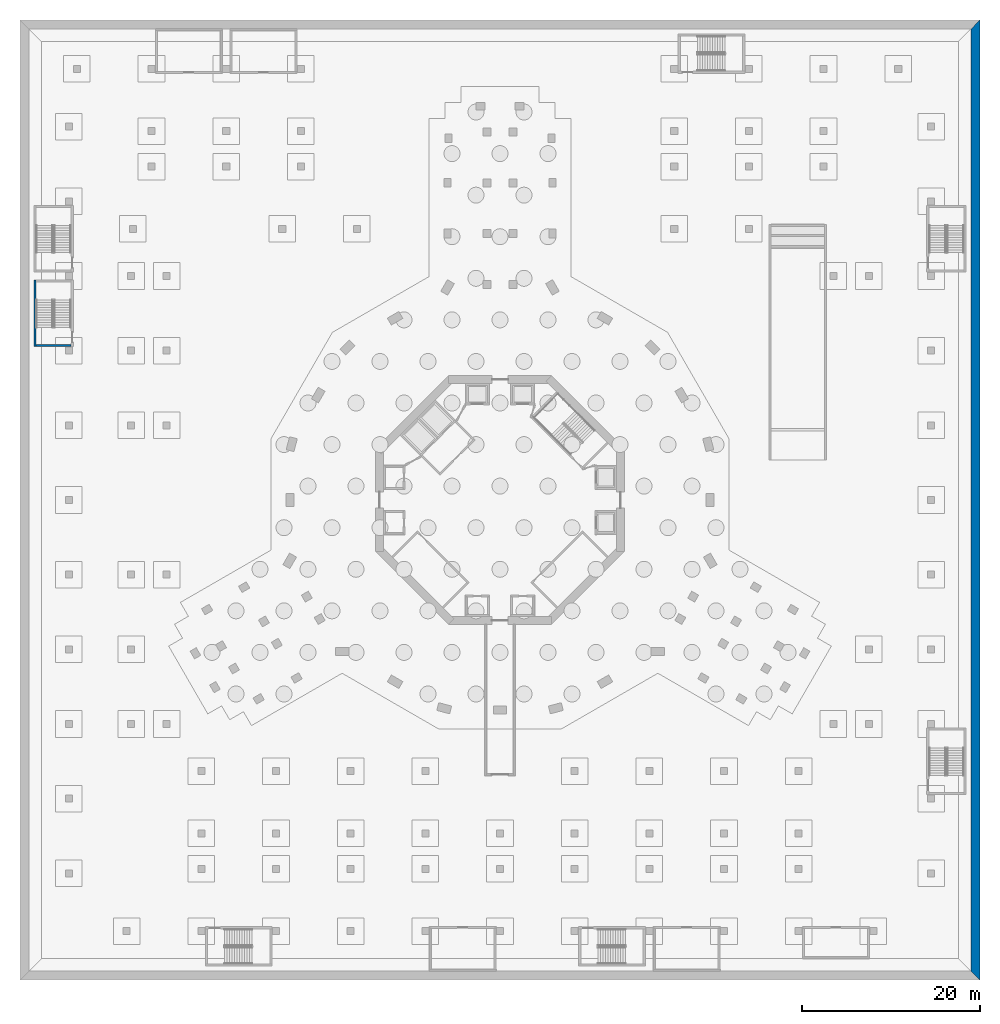
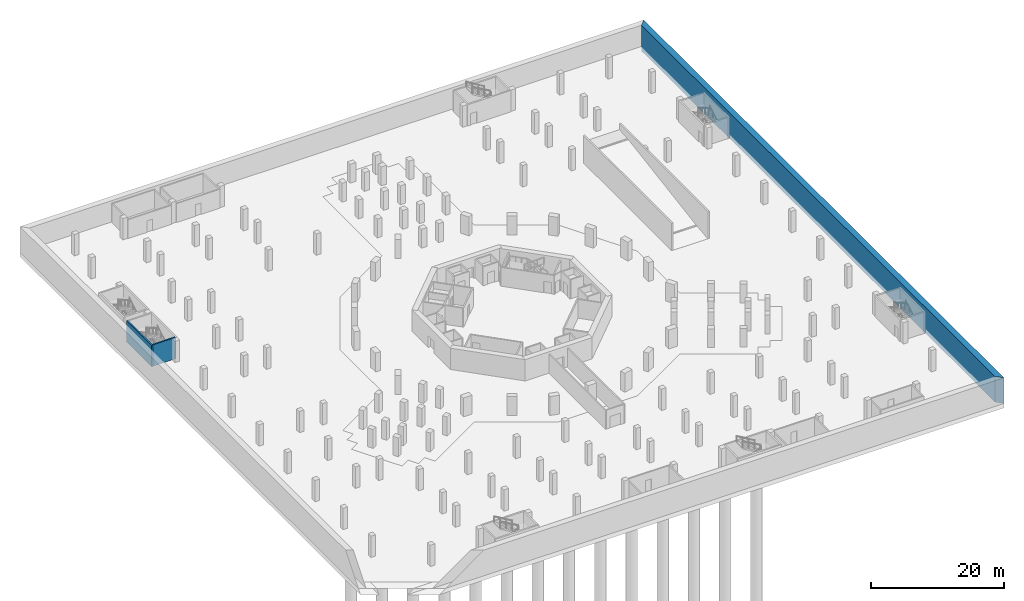
# One storey, part 10 of 27: 3 walls.
"""IFC4 building model written with IfcOpenShell, lengths in metres."""

from ifc_helpers import new_model, si_unit, direction, frame, frame_2d, origin, place, context, subcontext, project, spatial, polyline, rectangle, outline, extrude, material, layer, layer_set, type_object, element, save


model = new_model("IFC4")

# Units and contexts
model_context = context("Model", 3, precision=1e-05, world=origin(), true_north=direction((0.0, 1.0)))
body_context = subcontext(model_context, "Body", "Model", "MODEL_VIEW")
ifc_project = project(units=[si_unit("LENGTHUNIT", "METRE"), si_unit("AREAUNIT", "SQUARE_METRE"), si_unit("VOLUMEUNIT", "CUBIC_METRE"), si_unit("PLANEANGLEUNIT", "RADIAN"), si_unit("MASSUNIT", "GRAM", prefix="KILO")], contexts=[model_context])

# Site, building, storey
site_placement = place(None, origin())
site = spatial("IfcSite", under=ifc_project, at=site_placement, CompositionType="ELEMENT")
building_placement = place(site_placement, origin())
building = spatial("IfcBuilding", under=site, at=building_placement, Name="Verdalira Terraces Hotel", CompositionType="ELEMENT")
storey_placement = place(building_placement, frame((0.0, 0.0, -11.699951)))
storey = spatial("IfcBuildingStorey", under=building, at=storey_placement, Name="B3", CompositionType="ELEMENT", Elevation=-11.699951171875)

# Walls
ifc_material_1 = material(Name="Concrete C40", Category="concrete")
ifc_layer_1 = layer(ifc_material_1, 1.0)
ifc_layer_set_1 = layer_set([ifc_layer_1], Name="Retaining wall from base slab 1000 C40")
wall_type_1 = type_object("IfcWallType", Name="Retaining wall from base slab 1000 C40", PredefinedType="SOLIDWALL", material=ifc_layer_set_1)
wall_1_placement = place(storey_placement, frame((0.0, 0.0, -0.800049)))
element("IfcWall", 1, at=wall_1_placement, inside=storey, type_object=wall_type_1, Name="Retaining wall B3 side 4", PredefinedType="SOLIDWALL", context=body_context, shape_type="SweptSolid", body=[
    extrude(outline(polyline([(54.0, -54.0), (54.0, 54.0), (53.0, 53.0), (53.0, -53.0), (54.0, -54.0)])), origin(), (0.0, 0.0, 1.0), 4.699951),
])
ifc_material_2 = material(Name="Concrete C40", Category="concrete")
ifc_layer_2 = layer(ifc_material_2, 0.25)
ifc_layer_set_2 = layer_set([ifc_layer_2], Name="Stair enclosure wall 250 C40")
wall_type_2 = type_object("IfcWallType", Name="Stair enclosure wall 250 C40", PredefinedType="SOLIDWALL", material=ifc_layer_set_2)
wall_2_placement = place(storey_placement, frame((-52.324951, 17.25, 0.0), z_axis=(0.0, 0.0, 1.0), x_axis=(0.0, 1.0, 0.0)))
element("IfcWall", 2, at=wall_2_placement, inside=storey, type_object=wall_type_2, Name="Stair BS7 enclosure wall", PredefinedType="SOLIDWALL", context=body_context, shape_type="SweptSolid", body=[
    extrude(rectangle(XDim=7.5, YDim=0.25, at=frame_2d((3.75, 0.0))), origin(), (0.0, 0.0, 1.0), 3.899902),
])
wall_3_placement = place(storey_placement, frame((-48.25, 17.375, 0.0), z_axis=(0.0, 0.0, 1.0), x_axis=(-1.0, 0.0, 0.0)))
element("IfcWall", 3, at=wall_3_placement, inside=storey, type_object=wall_type_2, Name="Stair BS7 enclosure wall", PredefinedType="SOLIDWALL", context=body_context, shape_type="SweptSolid", body=[
    extrude(rectangle(XDim=3.949951, YDim=0.25, at=frame_2d((1.975098, 0.0))), origin(), (0.0, 0.0, 1.0), 3.899902),
])

save(model, "model.ifc")
